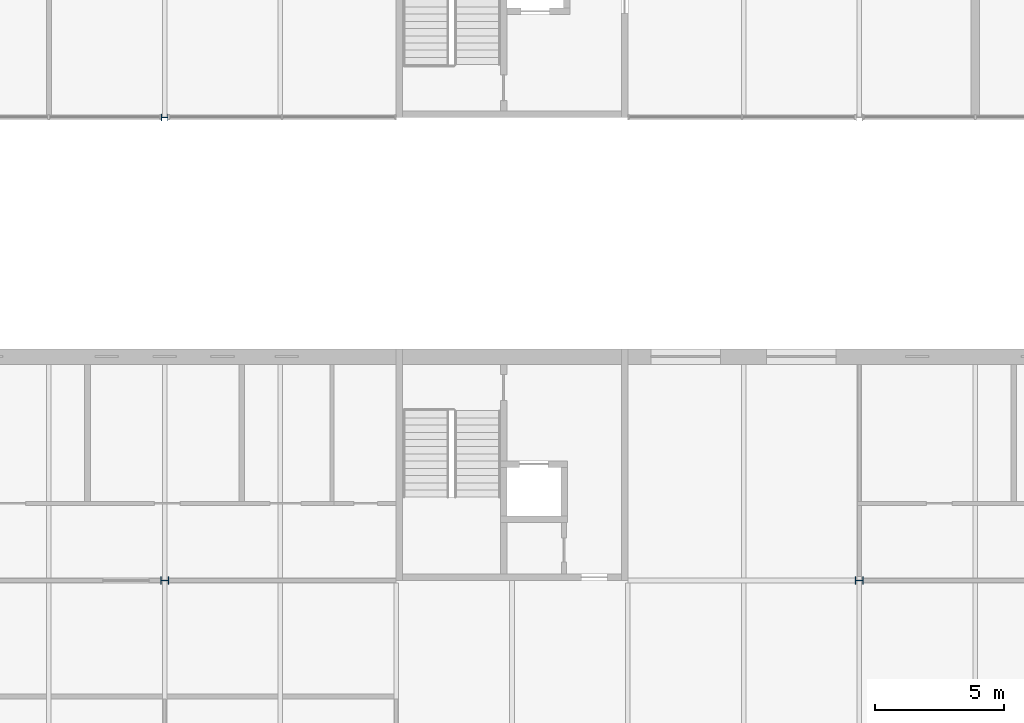
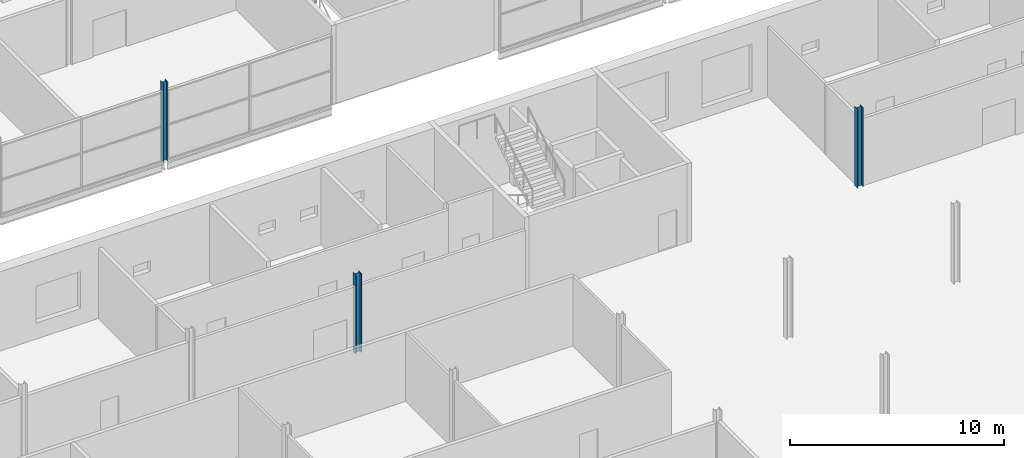
# One storey, part 16 of 97: 3 columns.
"""IFC4 building model written with IfcOpenShell, lengths in metres."""

from ifc_helpers import new_model, si_unit, direction, frame, origin, origin_2d, place, context, subcontext, project, spatial, i_section, extrude, material, material_profile, profile_set, type_object, element, save


model = new_model("IFC4")

# Units and contexts
model_context = context("Model", 3, precision=1e-05, world=origin(), true_north=direction((0.0, 1.0)))
body_context = subcontext(model_context, "Body", "Model", "MODEL_VIEW")
ifc_project = project(units=[si_unit("LENGTHUNIT", "METRE"), si_unit("AREAUNIT", "SQUARE_METRE"), si_unit("VOLUMEUNIT", "CUBIC_METRE"), si_unit("PLANEANGLEUNIT", "RADIAN"), si_unit("MASSUNIT", "GRAM", prefix="KILO")], contexts=[model_context])

# Site, building, storey
site_placement = place(None, origin())
site = spatial("IfcSite", under=ifc_project, at=site_placement, CompositionType="ELEMENT")
building_placement = place(site_placement, origin())
building = spatial("IfcBuilding", under=site, at=building_placement, Name="Corbel Yard City Hall", CompositionType="ELEMENT")
storey_placement = place(building_placement, frame((0.0, 0.0, 6.0)))
storey = spatial("IfcBuildingStorey", under=building, at=storey_placement, Name="L01", CompositionType="ELEMENT", Elevation=6.0)

# Columns
ifc_material = material(Name="Steel Grade 300 (300 MPa yield)", Category="steel")
ifc_material_profile_1 = material_profile(ifc_material, i_section(OverallWidth=0.256103515625, OverallDepth=0.260009765625, WebThickness=0.010498046875, FlangeThickness=0.017333984375, at=origin_2d()), Name="250UC89.5")
ifc_profile_set_1 = profile_set([ifc_material_profile_1], Name="Steel Grade 300 (300 MPa yield)")
column_type_1 = type_object("IfcColumnType", Name="Column 250UC89.5", PredefinedType="COLUMN", material=ifc_profile_set_1)
column_placement = place(storey_placement, frame((72.0, 90.0, 0.0), z_axis=(0.0, 0.0, 1.0), x_axis=(0.0, 1.0, 0.0)))
element("IfcColumn", 1, at=column_placement, inside=storey, type_object=column_type_1, Name="Column 250UC89.5 K/9 L01", PredefinedType="COLUMN", context=body_context, shape_type="SweptSolid", body=[
    extrude(i_section(OverallWidth=0.256103515625, OverallDepth=0.260009765625, WebThickness=0.010498046875, FlangeThickness=0.017333984375, at=origin_2d()), origin(), (0.0, 0.0, 1.0), 4.5),
])
ifc_material_profile_2 = material_profile(ifc_material, i_section(OverallWidth=0.306884765625, OverallDepth=0.31494140625, WebThickness=0.011962890625, FlangeThickness=0.018798828125, at=origin_2d()), Name="310UC118")
ifc_profile_set_2 = profile_set([ifc_material_profile_2], Name="Steel Grade 300 (300 MPa yield)")
column_type_2 = type_object("IfcColumnType", Name="Column 310UC118", PredefinedType="COLUMN", material=ifc_profile_set_2)
for number, where, z_axis, x_axis, name in (
    (2, (72.0, 72.0, 0.0), (0.0, 0.0, 1.0), (0.0, 1.0, 0.0), "Column 310UC118 I/9 L01"),
    (3, (99.0, 72.0, 0.0), (0.0, 0.0, 1.0), (0.0, 1.0, 0.0), "Column 310UC118 I/12 L01"),
):
    element("IfcColumn", number, at=place(storey_placement, frame(where, z_axis=z_axis, x_axis=x_axis)), inside=storey, type_object=column_type_2, Name=name, PredefinedType="COLUMN", context=body_context, shape_type="SweptSolid", body=[
        extrude(i_section(OverallWidth=0.306884765625, OverallDepth=0.31494140625, WebThickness=0.011962890625, FlangeThickness=0.018798828125, at=origin_2d()), origin(), (0.0, 0.0, 1.0), 4.5),
    ])

save(model, "model.ifc")
